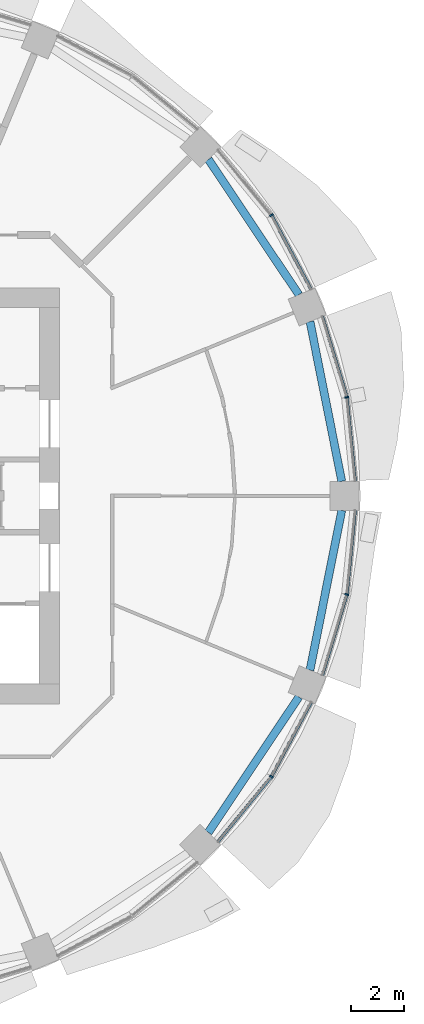
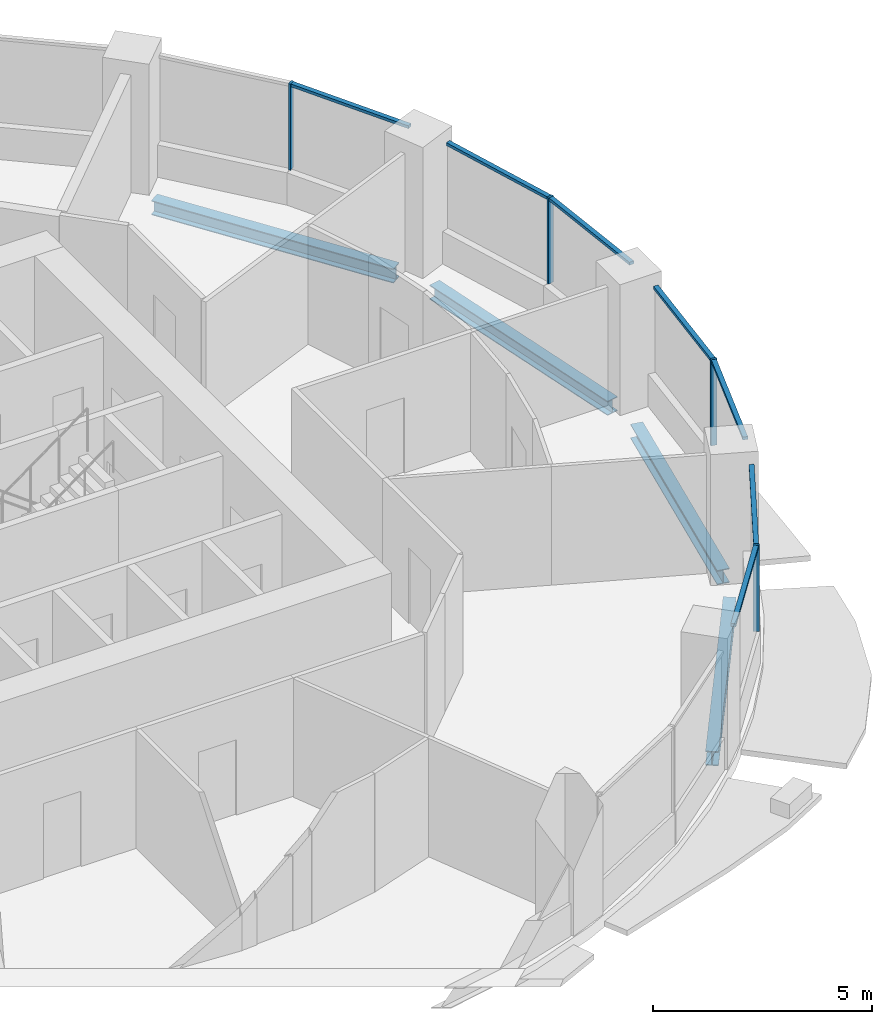
# One storey, part 4 of 14: 11 members, 4 beams, 4 elements without a shape of their own.
"""IFC4 building model written with IfcOpenShell, lengths in metres."""

from ifc_helpers import new_model, si_unit, direction, frame, origin, origin_2d, place, context, subcontext, project, spatial, rectangle, i_section, extrude, material, material_profile, profile_set, type_object, element, aggregate, save


model = new_model("IFC4")

# Units and contexts
model_context = context("Model", 3, precision=1e-05, world=origin(), true_north=direction((0.0, 1.0)))
body_context = subcontext(model_context, "Body", "Model", "MODEL_VIEW")
ifc_project = project(units=[si_unit("LENGTHUNIT", "METRE"), si_unit("AREAUNIT", "SQUARE_METRE"), si_unit("VOLUMEUNIT", "CUBIC_METRE"), si_unit("PLANEANGLEUNIT", "RADIAN"), si_unit("MASSUNIT", "GRAM", prefix="KILO")], contexts=[model_context])

# Site, building, storey
site_placement = place(None, origin())
site = spatial("IfcSite", under=ifc_project, at=site_placement, CompositionType="ELEMENT")
building_placement = place(site_placement, origin())
building = spatial("IfcBuilding", under=site, at=building_placement, Name="Polderwave Tower", CompositionType="ELEMENT")
storey_placement = place(building_placement, frame((0.0, 0.0, 94.64990234375)))
storey = spatial("IfcBuildingStorey", under=building, at=storey_placement, Name="L24", CompositionType="ELEMENT", Elevation=94.64990234375)

# Curtain wall, member
ifc_material_1 = material(Name="Aluminium 6063-T6 and glass", Category="aluminium")
curtain_wall_type = type_object("IfcCurtainWallType", Name="Growing floor ribbon glazing wall", PredefinedType="NOTDEFINED", material=ifc_material_1)
curtain_wall_1_placement = place(storey_placement, origin())
curtain_wall_1 = element("IfcCurtainWall", 1, at=curtain_wall_1_placement, inside=storey, type_object=curtain_wall_type, Name="CW2 L24 00", PredefinedType="NOTDEFINED")
ifc_material_2 = material(Name="Aluminium 6063-T6", Category="aluminium")
ifc_material_profile_1 = material_profile(ifc_material_2, rectangle(XDim=0.14990234375, YDim=0.06005859375, at=origin_2d()), Name="AL 60x150")
ifc_profile_set_1 = profile_set([ifc_material_profile_1], Name="Aluminium 6063-T6")
member_type_1 = type_object("IfcMemberType", Name="Growing floor ribbon glazing mullion 60x150", PredefinedType="MULLION", material=ifc_profile_set_1)
member_1_placement = place(storey_placement, frame((18.7529296875, 3.72998046875, 0.900146484375), z_axis=(0.0, 0.0, 1.0), x_axis=(-0.980780853692, -0.195112575278, 0.0)))
member_1 = element("IfcMember", 2, at=member_1_placement, type_object=member_type_1, Name="CW2 mullion 1", PredefinedType="MULLION", context=body_context, shape_type="SweptSolid", body=[
    extrude(rectangle(XDim=0.14990234375, YDim=0.06005859375, at=origin_2d()), origin(), (0.0, 0.0, 1.0), 2.39990234375),
])

curtain_wall_2_placement = place(storey_placement, origin())
curtain_wall_2 = element("IfcCurtainWall", 3, at=curtain_wall_2_placement, inside=storey, type_object=curtain_wall_type, Name="CW2 L24 01", PredefinedType="NOTDEFINED")
member_2_placement = place(storey_placement, frame((15.89794921875, 10.623046875, 0.900146484375), z_axis=(0.0, 0.0, 1.0), x_axis=(-0.831467672992, -0.555573135393, 0.0)))
member_2 = element("IfcMember", 4, at=member_2_placement, type_object=member_type_1, Name="CW2 mullion 1", PredefinedType="MULLION", context=body_context, shape_type="SweptSolid", body=[
    extrude(rectangle(XDim=0.14990234375, YDim=0.06005859375, at=origin_2d()), origin(), (0.0, 0.0, 1.0), 2.39990234375),
])

curtain_wall_3_placement = place(storey_placement, origin())
curtain_wall_3 = element("IfcCurtainWall", 5, at=curtain_wall_3_placement, inside=storey, type_object=curtain_wall_type, Name="CW2 L24 14", PredefinedType="NOTDEFINED")
member_3_placement = place(storey_placement, frame((15.89794921875, -10.623046875, 0.900146484375), z_axis=(0.0, 0.0, 1.0), x_axis=(-0.831467672992, 0.555573135393, 0.0)))
member_3 = element("IfcMember", 6, at=member_3_placement, type_object=member_type_1, Name="CW2 mullion 1", PredefinedType="MULLION", context=body_context, shape_type="SweptSolid", body=[
    extrude(rectangle(XDim=0.14990234375, YDim=0.06005859375, at=origin_2d()), origin(), (0.0, 0.0, 1.0), 2.39990234375),
])

curtain_wall_4_placement = place(storey_placement, origin())
curtain_wall_4 = element("IfcCurtainWall", 7, at=curtain_wall_4_placement, inside=storey, type_object=curtain_wall_type, Name="CW2 L24 15", PredefinedType="NOTDEFINED")
member_4_placement = place(storey_placement, frame((18.7529296875, -3.72998046875, 0.900146484375), z_axis=(0.0, 0.0, 1.0), x_axis=(-0.980780853692, 0.195112575278, 0.0)))
member_4 = element("IfcMember", 8, at=member_4_placement, type_object=member_type_1, Name="CW2 mullion 1", PredefinedType="MULLION", context=body_context, shape_type="SweptSolid", body=[
    extrude(rectangle(XDim=0.14990234375, YDim=0.06005859375, at=origin_2d()), origin(), (0.0, 0.0, 1.0), 2.39990234375),
])

# Member
ifc_material_profile_2 = material_profile(ifc_material_2, rectangle(XDim=0.1201171875, YDim=0.080078125, at=origin_2d()), Name="AL 80x120")
ifc_profile_set_2 = profile_set([ifc_material_profile_2], Name="Aluminium 6063-T6")
member_type_2 = type_object("IfcMemberType", Name="Growing floor ribbon glazing transom 80x120", PredefinedType="USERDEFINED", material=ifc_profile_set_2)
member_5_placement = place(storey_placement, frame((19.06591796875, 0.550048828125, 3.260009765625), z_axis=(-0.097953388713, 0.995191003597, 0.0), x_axis=(-0.995191003597, -0.097953388713, 0.0)))
member_5 = element("IfcMember", 9, at=member_5_placement, type_object=member_type_2, Name="CW2 transom 1", ObjectType="TRANSOM", PredefinedType="USERDEFINED", context=body_context, shape_type="SweptSolid", body=[
    extrude(rectangle(XDim=0.1201171875, YDim=0.080078125, at=origin_2d()), origin(), (0.0, 0.0, 1.0), 3.165283203125),
])

member_6_placement = place(storey_placement, frame((18.744384765625, 3.7587890625, 3.260009765625), z_axis=(-0.290431166093, 0.956895886584, 0.0), x_axis=(-0.956895886584, -0.290431166093, 0.0)))
member_6 = element("IfcMember", 10, at=member_6_placement, type_object=member_type_2, Name="CW2 transom 2", ObjectType="TRANSOM", PredefinedType="USERDEFINED", context=body_context, shape_type="SweptSolid", body=[
    extrude(rectangle(XDim=0.1201171875, YDim=0.080078125, at=origin_2d()), origin(), (0.0, 0.0, 1.0), 3.165771484375),
])

aggregate(curtain_wall_1, [member_1, member_5, member_6])

member_7_placement = place(storey_placement, frame((17.404052734375, 7.803955078125, 3.260009765625), z_axis=(-0.471232490074, 0.882009036404, 0.0), x_axis=(-0.882009036404, -0.471232490074, 0.0)))
member_7 = element("IfcMember", 11, at=member_7_placement, type_object=member_type_2, Name="CW2 transom 1", ObjectType="TRANSOM", PredefinedType="USERDEFINED", context=body_context, shape_type="SweptSolid", body=[
    extrude(rectangle(XDim=0.1201171875, YDim=0.080078125, at=origin_2d()), origin(), (0.0, 0.0, 1.0), 3.166015625),
])

aggregate(curtain_wall_2, [member_2, member_7])

member_8_placement = place(storey_placement, frame((13.8701171875, -13.093017578125, 3.260009765625), z_axis=(0.634538762198, 0.772891039712, 0.0), x_axis=(-0.772891039712, 0.634538762198, 0.0)))
member_8 = element("IfcMember", 12, at=member_8_placement, type_object=member_type_2, Name="CW2 transom 1", ObjectType="TRANSOM", PredefinedType="USERDEFINED", context=body_context, shape_type="SweptSolid", body=[
    extrude(rectangle(XDim=0.1201171875, YDim=0.080078125, at=origin_2d()), origin(), (0.0, 0.0, 1.0), 3.165771484375),
])

member_9_placement = place(storey_placement, frame((15.912109375, -10.596435546875, 3.260009765625), z_axis=(0.471232490074, 0.882009036404, 0.0), x_axis=(-0.882009036404, 0.471232490074, 0.0)))
member_9 = element("IfcMember", 13, at=member_9_placement, type_object=member_type_2, Name="CW2 transom 2", ObjectType="TRANSOM", PredefinedType="USERDEFINED", context=body_context, shape_type="SweptSolid", body=[
    extrude(rectangle(XDim=0.1201171875, YDim=0.080078125, at=origin_2d()), origin(), (0.0, 0.0, 1.0), 3.166015625),
])

aggregate(curtain_wall_3, [member_3, member_8, member_9])

member_10_placement = place(storey_placement, frame((17.824951171875, -6.7880859375, 3.260009765625), z_axis=(0.290431166093, 0.956895886584, 0.0), x_axis=(-0.956895886584, 0.290431166093, 0.0)))
member_10 = element("IfcMember", 14, at=member_10_placement, type_object=member_type_2, Name="CW2 transom 1", ObjectType="TRANSOM", PredefinedType="USERDEFINED", context=body_context, shape_type="SweptSolid", body=[
    extrude(rectangle(XDim=0.1201171875, YDim=0.080078125, at=origin_2d()), origin(), (0.0, 0.0, 1.0), 3.165771484375),
])

member_11_placement = place(storey_placement, frame((18.755859375, -3.7001953125, 3.260009765625), z_axis=(0.097953388713, 0.995191003597, 0.0), x_axis=(-0.995191003597, 0.097953388713, 0.0)))
member_11 = element("IfcMember", 15, at=member_11_placement, type_object=member_type_2, Name="CW2 transom 2", ObjectType="TRANSOM", PredefinedType="USERDEFINED", context=body_context, shape_type="SweptSolid", body=[
    extrude(rectangle(XDim=0.1201171875, YDim=0.080078125, at=origin_2d()), origin(), (0.0, 0.0, 1.0), 3.165283203125),
])

aggregate(curtain_wall_4, [member_4, member_10, member_11])

# Beams
ifc_material_3 = material(Name="Steel S355", Category="steel")
ifc_material_profile_3 = material_profile(ifc_material_3, i_section(OverallWidth=0.300048828125, OverallDepth=0.39990234375, WebThickness=0.013427734375, FlangeThickness=0.02392578125, at=origin_2d()), Name="HE 400 B")
ifc_profile_set_3 = profile_set([ifc_material_profile_3], Name="Steel S355")
beam_type = type_object("IfcBeamType", Name="RING BEAM HE 400 B", PredefinedType="BEAM", material=ifc_profile_set_3)
for number, where, z_axis, x_axis, name in (
    (16, (18.560546875, 0.550048828125, -0.5498046875), (-0.195095226048, 0.980784304918, 0.0), (-0.980784304918, -0.195095226048, 0.0), "ST-RB-L24-00"),
    (17, (16.937255859375, 7.611083984375, -0.5498046875), (-0.555586625808, 0.831458658758, 0.0), (-0.831458658758, -0.555586625808, 0.0), "ST-RB-L24-01"),
    (18, (13.51318359375, -12.7353515625, -0.5498046875), (0.555586625808, 0.831458658758, 0.0), (-0.831458658758, 0.555586625808, 0.0), "ST-RB-L24-14"),
    (19, (17.358154296875, -6.5947265625, -0.5498046875), (0.195095226048, 0.980784304918, 0.0), (-0.980784304918, 0.195095226048, 0.0), "ST-RB-L24-15"),
):
    element("IfcBeam", number, at=place(storey_placement, frame(where, z_axis=z_axis, x_axis=x_axis)), inside=storey, type_object=beam_type, Name=name, PredefinedType="BEAM", context=body_context, shape_type="SweptSolid", body=[
        extrude(i_section(OverallWidth=0.300048828125, OverallDepth=0.39990234375, WebThickness=0.013427734375, FlangeThickness=0.02392578125, at=origin_2d()), origin(), (0.0, 0.0, 1.0), 6.1630859375),
    ])

save(model, "model.ifc")
